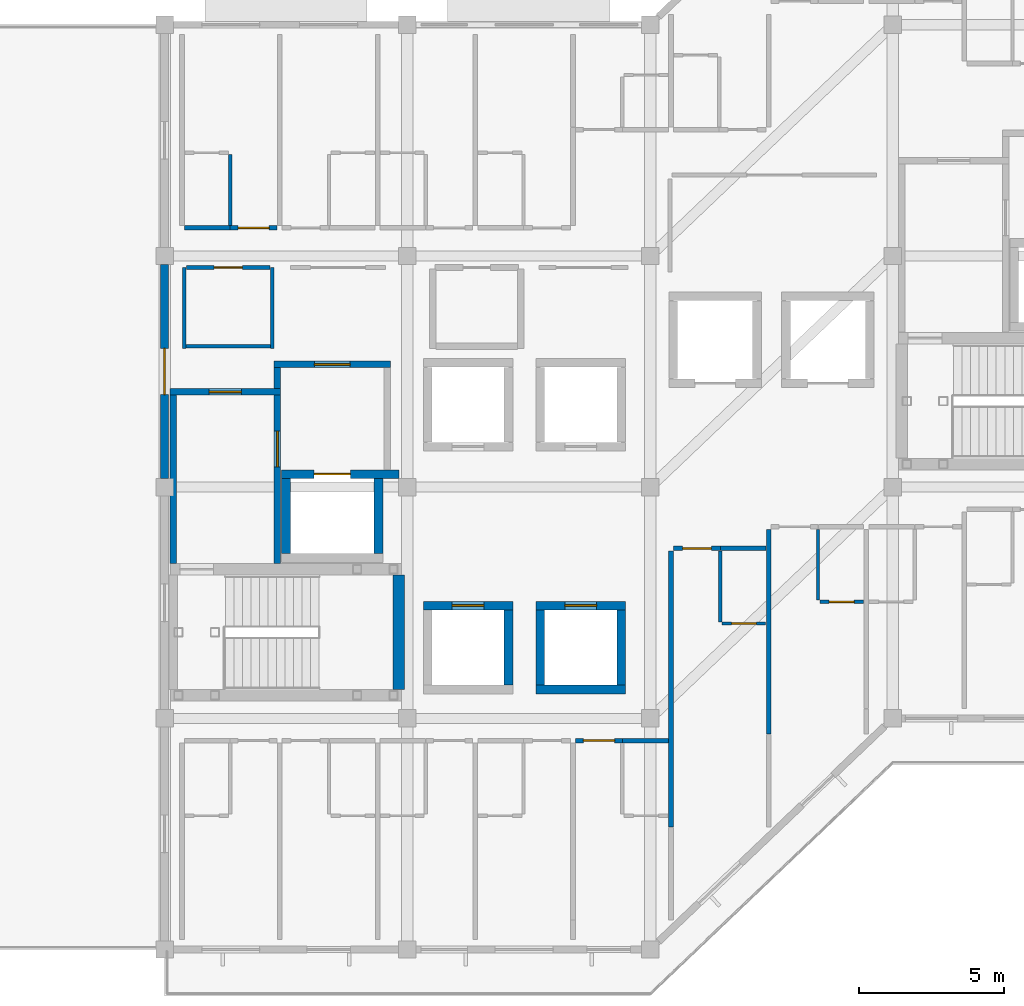
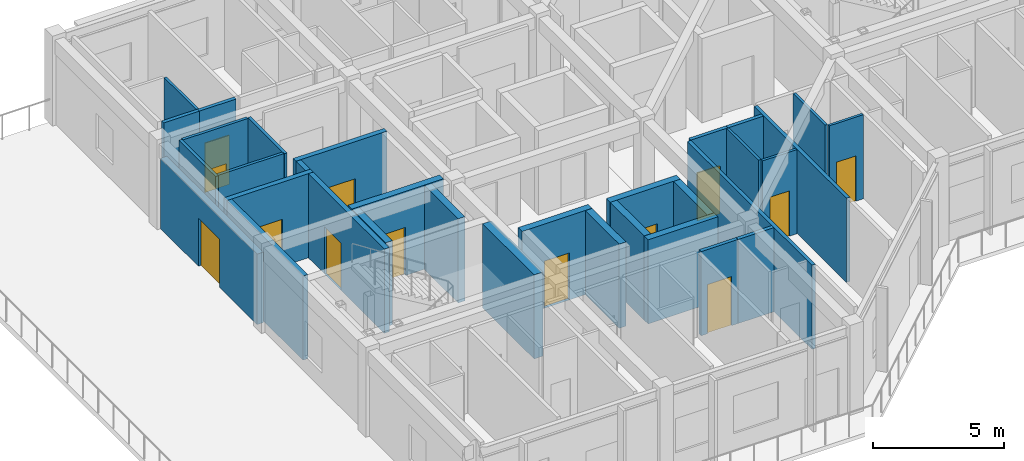
# One storey, part 5 of 13: 33 walls, 13 doors, 13 openings.
"""IFC4 building model written with IfcOpenShell, lengths in metres."""

import ifcopenshell
import ifcopenshell.guid

model = None  # the IFC model being written
_history = None  # IfcOwnerHistory: only IFC2X3 demands one
_inside = {}  # id of a spatial element -> (the spatial element, [elements in it])
_under = {}  # id of a project, library or spatial element -> (it, [spatial elements below it])
_declared = {}  # id of a project -> (the project, [libraries it declares])
_typed = {}  # id of a type object -> (the type object, [elements of that type])
_made_of = {}  # id of a material, layer set ... -> (it, [elements and type objects made of it])


def new_model(schema):
    """Start an empty IFC model of exactly this schema.

    Asked for "IFC4X3", IfcOpenShell would pick the latest addendum, in which some entities
    have other attributes; the version numbers below select the first issue.
    IFC2X3 requires an IfcOwnerHistory on every rooted entity: one is made here for all.
    """
    global model, _history
    if schema == "IFC4X3":
        model = ifcopenshell.file(schema_version=(4, 3, 0, 0))
    else:
        model = ifcopenshell.file(schema=schema)
    _inside.clear()
    _under.clear()
    _declared.clear()
    _typed.clear()
    _made_of.clear()
    _history = None
    if model.schema == "IFC2X3":
        org = make("IfcOrganization", Name="unknown")
        user = make(
            "IfcPersonAndOrganization",
            ThePerson=make("IfcPerson", FamilyName="unknown"),
            TheOrganization=org,
        )
        app = make(
            "IfcApplication",
            ApplicationDeveloper=org,
            Version="unknown",
            ApplicationFullName="unknown",
            ApplicationIdentifier="unknown",
        )
        _history = make(
            "IfcOwnerHistory",
            OwningUser=user,
            OwningApplication=app,
            ChangeAction="ADDED",
            CreationDate=0,
        )
    return model


def make(cls, **values):
    """One entity of the class cls with the attributes given. An attribute that is None is left unset."""
    return model.create_entity(
        cls, **{name: value for name, value in values.items() if value is not None}
    )


def rooted(cls, **values):
    """An entity with a GlobalId (a new one), such as an element, a storey or a relation."""
    return make(cls, GlobalId=ifcopenshell.guid.new(), OwnerHistory=_history, **values)


def si_unit(unit_type, name, prefix=None):
    """IfcSIUnit, for example si_unit("LENGTHUNIT", "METRE", prefix="MILLI")."""
    return make("IfcSIUnit", UnitType=unit_type, Prefix=prefix, Name=name)


def assignment(units):
    """IfcUnitAssignment: the units of a project."""
    return None if units is None else make("IfcUnitAssignment", Units=units)


def point(xyz):
    """IfcCartesianPoint."""
    return None if xyz is None else make("IfcCartesianPoint", Coordinates=xyz)


def direction(xyz):
    """IfcDirection."""
    return None if xyz is None else make("IfcDirection", DirectionRatios=xyz)


def frame(location, z_axis=None, x_axis=None):
    """IfcAxis2Placement3D, a coordinate frame: its origin and axes. An axis left out is left unset."""
    return make(
        "IfcAxis2Placement3D",
        Location=point(location),
        Axis=direction(z_axis),
        RefDirection=direction(x_axis),
    )


def frame_2d(location, x_axis=None):
    """IfcAxis2Placement2D, a coordinate frame in the plane: its origin and x axis."""
    return make(
        "IfcAxis2Placement2D", Location=point(location), RefDirection=direction(x_axis)
    )


def origin():
    """The frame at (0, 0, 0) with its axes left unset."""
    return frame((0.0, 0.0, 0.0))


def place(relative_to, where):
    """IfcLocalPlacement: puts the frame where relative to a parent placement (None: the world)."""
    return make(
        "IfcLocalPlacement", PlacementRelTo=relative_to, RelativePlacement=where
    )


def context(
    kind, dimensions, precision=None, world=None, true_north=None, identifier=None
):
    """IfcGeometricRepresentationContext, for example the 3D "Model" context."""
    return make(
        "IfcGeometricRepresentationContext",
        ContextIdentifier=identifier,
        ContextType=kind,
        CoordinateSpaceDimension=dimensions,
        Precision=precision,
        WorldCoordinateSystem=world,
        TrueNorth=true_north,
    )


def subcontext(parent, identifier, kind, view, scale=None):
    """IfcGeometricRepresentationSubContext, for example "Body" below "Model"."""
    return make(
        "IfcGeometricRepresentationSubContext",
        ContextIdentifier=identifier,
        ContextType=kind,
        ParentContext=parent,
        TargetScale=scale,
        TargetView=view,
    )


def project(units=None, contexts=None):
    """IfcProject with its units and contexts."""
    return rooted(
        "IfcProject",
        Name="project",
        RepresentationContexts=contexts,
        UnitsInContext=assignment(units),
    )


def spatial(cls, under=None, at=None, **own):
    """A site, building, storey or space (cls), placed at a placement, below another one or the project."""
    s = rooted(cls, ObjectPlacement=at, **own)
    if under is not None:
        _under.setdefault(under.id(), (under, []))[1].append(s)
    return s


def profile(cls, at=None, kind="AREA", **sizes):
    """A parametric profile (cls). Its sizes go by their IFC names, for example OverallWidth=200.0."""
    return make(cls, ProfileType=kind, Position=at, **sizes)


def rectangle(**sizes):
    """IfcRectangleProfileDef."""
    return profile("IfcRectangleProfileDef", **sizes)


def extrude(swept, where, along, depth):
    """IfcExtrudedAreaSolid: the profile swept, set in the frame where, extruded along a direction by depth."""
    return make(
        "IfcExtrudedAreaSolid",
        SweptArea=swept,
        Position=where,
        ExtrudedDirection=direction(along),
        Depth=depth,
    )


def shape(context_of_items, identifier, shape_type, items):
    """IfcShapeRepresentation: the items that make up one representation, for example the "Body"."""
    return make(
        "IfcShapeRepresentation",
        ContextOfItems=context_of_items,
        RepresentationIdentifier=identifier,
        RepresentationType=shape_type,
        Items=items,
    )


def material(Name=None, Category=None):
    """IfcMaterial."""
    return make("IfcMaterial", Name=Name, Category=Category)


def layer(
    of_material, thickness, ventilated=None, Name=None, Category=None, Priority=None
):
    """IfcMaterialLayer: one layer of a wall or slab, of a material (None: an air gap)."""
    return make(
        "IfcMaterialLayer",
        Material=of_material,
        LayerThickness=thickness,
        IsVentilated=ventilated,
        Name=Name,
        Category=Category,
        Priority=Priority,
    )


def layer_set(layers, Name=None):
    """IfcMaterialLayerSet."""
    return make("IfcMaterialLayerSet", MaterialLayers=layers, LayerSetName=Name)


def made_of(thing, what):
    """Note that an element or type object is made of a material, layer set ...; save() writes the relation."""
    if what is not None:
        _made_of.setdefault(what.id(), (what, []))[1].append(thing)
    return thing


def type_object(cls, material=None, **own):
    """A type object (cls), such as IfcWallType, which elements share."""
    return made_of(rooted(cls, **own), material)


def element(
    cls,
    number,
    at=None,
    inside=None,
    cuts=None,
    type_object=None,
    material=None,
    context=None,
    identifier="Body",
    shape_type=None,
    held_by="IfcProductDefinitionShape",
    body=None,
    shapes=None,
    **own,
):
    """One element of the class cls, such as IfcWall. Its Tag is "e" and its number.

    at: its placement. inside: the storey or other place that contains it. cuts: it is an
    opening in that element (IfcRelVoidsElement). A single representation is given by context,
    identifier, shape_type and body (its items); several are given by shapes. held_by: the class
    of the entity that holds the representations. save() writes the other relations.
    """
    e = rooted(cls, Tag="e%d" % number, ObjectPlacement=at, **own)
    if body is not None:
        shapes = [shape(context, identifier, shape_type, body)]
    if shapes is not None:
        e.Representation = make(held_by, Representations=shapes)
    if inside is not None:
        _inside.setdefault(inside.id(), (inside, []))[1].append(e)
    if cuts is not None:
        rooted(
            "IfcRelVoidsElement", RelatingBuildingElement=cuts, RelatedOpeningElement=e
        )
    if type_object is not None:
        _typed.setdefault(type_object.id(), (type_object, []))[1].append(e)
    return made_of(e, material)


def fill(opening, filler):
    """IfcRelFillsElement: the door or window that sits in an opening."""
    return rooted(
        "IfcRelFillsElement",
        RelatingOpeningElement=opening,
        RelatedBuildingElement=filler,
    )


def aggregate(whole, parts):
    """IfcRelAggregates: a whole, such as a stair, and the parts it consists of."""
    return rooted("IfcRelAggregates", RelatingObject=whole, RelatedObjects=parts)


def save(model, path):
    """Write the relations noted so far, then the file.

    IfcRelAggregates (storeys below a building ...), IfcRelContainedInSpatialStructure (elements
    in a storey), IfcRelDefinesByType, IfcRelAssociatesMaterial and IfcRelDeclares: one each for
    every whole, place, type object, material and project.
    """
    for whole, parts in _under.values():
        aggregate(whole, parts)
    for where, things in _inside.values():
        rooted(
            "IfcRelContainedInSpatialStructure",
            RelatedElements=things,
            RelatingStructure=where,
        )
    for kind, things in _typed.values():
        rooted("IfcRelDefinesByType", RelatedObjects=things, RelatingType=kind)
    for what, things in _made_of.values():
        rooted("IfcRelAssociatesMaterial", RelatedObjects=things, RelatingMaterial=what)
    for by, libraries in _declared.values():
        rooted("IfcRelDeclares", RelatingContext=by, RelatedDefinitions=libraries)
    model.write(path)


model = new_model("IFC4")

# Units and contexts
model_context = context("Model", 3, precision=1e-05, world=origin(), true_north=direction((0.0, 1.0)))
body_context = subcontext(model_context, "Body", "Model", "MODEL_VIEW")
ifc_project = project(units=[si_unit("LENGTHUNIT", "METRE"), si_unit("AREAUNIT", "SQUARE_METRE"), si_unit("VOLUMEUNIT", "CUBIC_METRE"), si_unit("PLANEANGLEUNIT", "RADIAN"), si_unit("MASSUNIT", "GRAM", prefix="KILO")], contexts=[model_context])

# Site, building, storey
site_placement = place(None, origin())
site = spatial("IfcSite", under=ifc_project, at=site_placement, CompositionType="ELEMENT")
building_placement = place(site_placement, origin())
building = spatial("IfcBuilding", under=site, at=building_placement, Name="Naruveol Harbour Congress Hotel", CompositionType="ELEMENT")
storey_placement = place(building_placement, frame((0.0, 0.0, 43.199951171875)))
storey = spatial("IfcBuildingStorey", under=building, at=storey_placement, Name="L10", CompositionType="ELEMENT", Elevation=43.199951171875)

# Wall, opening, door
ifc_material_1 = material(Name="Precast concrete C40/50", Category="concrete")
ifc_layer_1 = layer(ifc_material_1, 0.280029296875)
ifc_layer_set_1 = layer_set([ifc_layer_1], Name="Precast concrete C40/50")
wall_type_1 = type_object("IfcWallType", Name="ARCHITECTURAL PRECAST FACADE WALL 280", PredefinedType="SOLIDWALL", material=ifc_layer_set_1)
wall_1_placement = place(storey_placement, frame((126.0, 16.300048828125, 0.0), z_axis=(0.0, 0.0, 1.0), x_axis=(0.0, 1.0, 0.0)))
wall_1 = element("IfcWall", 1, at=wall_1_placement, inside=storey, type_object=wall_type_1, Name="Hotel west gable wall L10 EW-280", PredefinedType="SOLIDWALL", context=body_context, shape_type="SweptSolid", body=[
    extrude(rectangle(XDim=7.39990234375, YDim=0.280029296875, at=frame_2d((3.699951171875, 0.0))), origin(), (0.0, 0.0, 1.0), 3.300048828125),
])
opening_1_placement = place(wall_1_placement, frame((2.89990234375, 0.0, 0.0)))
opening_1 = element("IfcOpeningElement", 2, at=opening_1_placement, cuts=wall_1, Name="Opening ED-TW-L10", PredefinedType="OPENING", context=body_context, shape_type="SweptSolid", body=[
    extrude(rectangle(XDim=1.60009765625, YDim=2.25, at=frame_2d((0.800048828125, 1.125))), frame((0.0, 0.14990234375, 0.0), z_axis=(0.0, -1.0, 0.0), x_axis=(1.0, 0.0, 0.0)), (0.0, 0.0, 1.0), 0.300048828125),
])
ifc_material_2 = material(Name="Powder-Coated Steel & Insulated Glazing", Category="steel")
door_type_1 = type_object("IfcDoorType", Name="HARBOUR GARDEN TERRACE DOOR 1600X2250", OperationType="DOUBLE_DOOR_SINGLE_SWING", PredefinedType="DOOR", material=ifc_material_2)
door_1_placement = place(opening_1_placement, origin())
door_1 = element("IfcDoor", 3, at=door_1_placement, inside=storey, type_object=door_type_1, Name="L10 West Sky Terrace Door", OperationType="DOUBLE_DOOR_SINGLE_SWING", OverallHeight=2.25, OverallWidth=1.60009765625, PredefinedType="DOOR", context=body_context, shape_type="SweptSolid", body=[
    extrude(rectangle(XDim=1.60009765625, YDim=2.25, at=frame_2d((0.800048828125, 1.125))), frame((0.0, 0.02490234375, 0.0), z_axis=(0.0, -1.0, 0.0), x_axis=(1.0, 0.0, 0.0)), (0.0, 0.0, 1.0), 0.050048828125),
])
fill(opening_1, door_1)

# Walls
ifc_material_3 = material(Name="Moisture-Resistant Gypsum Partition", Category="gypsum")
ifc_layer_2 = layer(ifc_material_3, 0.114990234375)
ifc_layer_set_2 = layer_set([ifc_layer_2], Name="Moisture-Resistant Gypsum Partition")
wall_type_2 = type_object("IfcWallType", Name="BATHROOM MOISTURE PARTITION WALL 115", PredefinedType="PARTITIONING", material=ifc_layer_set_2)
for number, where, z_axis, x_axis, name in (
    (4, (128.27001953125, 25.06005859375, 0.0), (0.0, 0.0, 1.0), (0.0, 1.0, 0.0), "Bathroom east wall 1193 PW-115"),
    (5, (145.22998046875, 11.340087890625, 0.0), (0.0, 0.0, 1.0), (0.0, 1.0, 0.0), "Bathroom west wall 1186 PW-115"),
):
    element("IfcWall", number, at=place(storey_placement, frame(where, z_axis=z_axis, x_axis=x_axis)), inside=storey, type_object=wall_type_2, Name=name, PredefinedType="PARTITIONING", context=body_context, shape_type="SweptSolid", body=[
        extrude(rectangle(XDim=2.449951171875, YDim=0.114990234375, at=frame_2d((1.22509765625, 0.0))), origin(), (0.0, 0.0, 1.0), 3.93505859375),
    ])

# Wall, opening, door
wall_2_placement = place(storey_placement, frame((145.2900390625, 11.280029296875, 0.0), z_axis=(0.0, 0.0, 1.0), x_axis=(1.0, 0.0, 0.0)))
wall_2 = element("IfcWall", 6, at=wall_2_placement, inside=storey, type_object=wall_type_2, Name="Bathroom south wall 1186 PW-115", PredefinedType="PARTITIONING", context=body_context, shape_type="SweptSolid", body=[
    extrude(rectangle(XDim=1.510009765625, YDim=0.114990234375, at=frame_2d((0.7548828125, 0.0))), origin(), (0.0, 0.0, 1.0), 3.93505859375),
])
opening_2_placement = place(wall_2_placement, frame((0.324951171875, 0.0, 0.0)))
opening_2 = element("IfcOpeningElement", 7, at=opening_2_placement, cuts=wall_2, Name="Opening BD-RM1186", PredefinedType="OPENING", context=body_context, shape_type="SweptSolid", body=[
    extrude(rectangle(XDim=0.860107421875, YDim=2.1201171875, at=frame_2d((0.43017578125, 1.06005859375))), frame((0.0, 0.0673828125, 0.0), z_axis=(0.0, -1.0, 0.0), x_axis=(1.0, 0.0, 0.0)), (0.0, 0.0, 1.0), 0.135009765625),
])
ifc_material_4 = material(Name="Timber & Steel Acoustic Leaf", Category="steel")
door_type_2 = type_object("IfcDoorType", Name="GUEST BATHROOM DOOR 860X2120", OperationType="NOTDEFINED", PredefinedType="DOOR", material=ifc_material_4)
door_2_placement = place(opening_2_placement, origin())
door_2 = element("IfcDoor", 8, at=door_2_placement, inside=storey, type_object=door_type_2, Name="Bathroom Door 1186", OperationType="SINGLE_SWING_RIGHT", OverallHeight=2.1201171875, OverallWidth=0.860107421875, PredefinedType="DOOR", context=body_context, shape_type="SweptSolid", body=[
    extrude(rectangle(XDim=0.860107421875, YDim=2.1201171875, at=frame_2d((0.43017578125, 1.06005859375))), frame((0.0, 0.02490234375, 0.0), z_axis=(0.0, -1.0, 0.0), x_axis=(1.0, 0.0, 0.0)), (0.0, 0.0, 1.0), 0.050048828125),
])
fill(opening_2, door_2)

# Wall
wall_3_placement = place(storey_placement, frame((148.610107421875, 12.090087890625, 0.0), z_axis=(0.0, 0.0, 1.0), x_axis=(0.0, 1.0, 0.0)))
element("IfcWall", 9, at=wall_3_placement, inside=storey, type_object=wall_type_2, Name="Bathroom west wall 1187 PW-115", PredefinedType="PARTITIONING", context=body_context, shape_type="SweptSolid", body=[
    extrude(rectangle(XDim=2.449951171875, YDim=0.114990234375, at=frame_2d((1.22509765625, 0.0))), origin(), (0.0, 0.0, 1.0), 3.93505859375),
])

# Wall, opening, door
wall_4_placement = place(storey_placement, frame((148.669921875, 12.030029296875, 0.0), z_axis=(0.0, 0.0, 1.0), x_axis=(1.0, 0.0, 0.0)))
wall_4 = element("IfcWall", 10, at=wall_4_placement, inside=storey, type_object=wall_type_2, Name="Bathroom south wall 1187 PW-115", PredefinedType="PARTITIONING", context=body_context, shape_type="SweptSolid", body=[
    extrude(rectangle(XDim=1.510009765625, YDim=0.114990234375, at=frame_2d((0.7548828125, 0.0))), origin(), (0.0, 0.0, 1.0), 3.93505859375),
])
opening_3_placement = place(wall_4_placement, frame((0.324951171875, 0.0, 0.0)))
opening_3 = element("IfcOpeningElement", 11, at=opening_3_placement, cuts=wall_4, Name="Opening BD-RM1187", PredefinedType="OPENING", context=body_context, shape_type="SweptSolid", body=[
    extrude(rectangle(XDim=0.860107421875, YDim=2.1201171875, at=frame_2d((0.43017578125, 1.06005859375))), frame((0.0, 0.0673828125, 0.0), z_axis=(0.0, -1.0, 0.0), x_axis=(1.0, 0.0, 0.0)), (0.0, 0.0, 1.0), 0.135009765625),
])
door_3_placement = place(opening_3_placement, origin())
door_3 = element("IfcDoor", 12, at=door_3_placement, inside=storey, type_object=door_type_2, Name="Bathroom Door 1187", OperationType="SINGLE_SWING_RIGHT", OverallHeight=2.1201171875, OverallWidth=0.860107421875, PredefinedType="DOOR", context=body_context, shape_type="SweptSolid", body=[
    extrude(rectangle(XDim=0.860107421875, YDim=2.1201171875, at=frame_2d((0.43017578125, 1.06005859375))), frame((0.0, 0.02490234375, 0.0), z_axis=(0.0, -1.0, 0.0), x_axis=(1.0, 0.0, 0.0)), (0.0, 0.0, 1.0), 0.050048828125),
])
fill(opening_3, door_3)

# Wall
ifc_material_5 = material(Name="Concrete C40/50", Category="concrete")
ifc_layer_3 = layer(ifc_material_5, 0.219970703125)
ifc_layer_set_3 = layer_set([ifc_layer_3], Name="Concrete C40/50")
wall_type_3 = type_object("IfcWallType", Name="FIRE COMPARTMENT AND LOBBY WALL 220 EI120", PredefinedType="PARTITIONING", material=ifc_layer_set_3)
wall_5_placement = place(storey_placement, frame((126.300048828125, 13.364990234375, 0.0), z_axis=(0.0, 0.0, 1.0), x_axis=(0.0, 1.0, 0.0)))
element("IfcWall", 13, at=wall_5_placement, inside=storey, type_object=wall_type_3, Name="Smoke vestibule ST1 west wall FW-220", PredefinedType="PARTITIONING", context=body_context, shape_type="SweptSolid", body=[
    extrude(rectangle(XDim=5.820068359375, YDim=0.219970703125, at=frame_2d((2.91015625, 0.0))), origin(), (0.0, 0.0, 1.0), 3.93505859375),
])

# Wall, opening, door
wall_6_placement = place(storey_placement, frame((126.18994140625, 19.300048828125, 0.0), z_axis=(0.0, 0.0, 1.0), x_axis=(1.0, 0.0, 0.0)))
wall_6 = element("IfcWall", 14, at=wall_6_placement, inside=storey, type_object=wall_type_3, Name="Smoke vestibule ST1 north wall FW-220", PredefinedType="PARTITIONING", context=body_context, shape_type="SweptSolid", body=[
    extrude(rectangle(XDim=3.820068359375, YDim=0.219970703125, at=frame_2d((1.91015625, 0.0))), origin(), (0.0, 0.0, 1.0), 3.93505859375),
])
opening_4_placement = place(wall_6_placement, frame((1.35009765625, 0.0, 0.0)))
opening_4 = element("IfcOpeningElement", 15, at=opening_4_placement, cuts=wall_6, Name="Opening FD-ST1-V-L10", PredefinedType="OPENING", context=body_context, shape_type="SweptSolid", body=[
    extrude(rectangle(XDim=1.1201171875, YDim=2.199951171875, at=frame_2d((0.56005859375, 1.10009765625))), frame((0.0, 0.119873046875, 0.0), z_axis=(0.0, -1.0, 0.0), x_axis=(1.0, 0.0, 0.0)), (0.0, 0.0, 1.0), 0.239990234375),
])
ifc_material_6 = material(Name="Timber & Steel Acoustic Leaf", Category="steel")
door_type_3 = type_object("IfcDoorType", Name="VESTIBULE SMOKE CONTROL FIRE DOOR 1120X2200", OperationType="NOTDEFINED", PredefinedType="DOOR", material=ifc_material_6)
door_4_placement = place(opening_4_placement, origin())
door_4 = element("IfcDoor", 16, at=door_4_placement, inside=storey, type_object=door_type_3, Name="Smoke Vestibule Entry Door ST1 L10", OperationType="SINGLE_SWING_LEFT", OverallHeight=2.199951171875, OverallWidth=1.1201171875, PredefinedType="DOOR", context=body_context, shape_type="SweptSolid", body=[
    extrude(rectangle(XDim=1.1201171875, YDim=2.199951171875, at=frame_2d((0.56005859375, 1.10009765625))), frame((0.0, 0.02490234375, 0.0), z_axis=(0.0, -1.0, 0.0), x_axis=(1.0, 0.0, 0.0)), (0.0, 0.0, 1.0), 0.050048828125),
])
fill(opening_4, door_4)

wall_7_placement = place(storey_placement, frame((129.89990234375, 13.364990234375, 0.0), z_axis=(0.0, 0.0, 1.0), x_axis=(0.0, 1.0, 0.0)))
wall_7 = element("IfcWall", 17, at=wall_7_placement, inside=storey, type_object=wall_type_3, Name="Smoke vestibule ST1 east wall FW-220", PredefinedType="PARTITIONING", context=body_context, shape_type="SweptSolid", body=[
    extrude(rectangle(XDim=5.820068359375, YDim=0.219970703125, at=frame_2d((2.91015625, 0.0))), origin(), (0.0, 0.0, 1.0), 3.93505859375),
])
opening_5_placement = place(wall_7_placement, frame((3.3349609375, 0.0, 0.0)))
opening_5 = element("IfcOpeningElement", 18, at=opening_5_placement, cuts=wall_7, Name="Opening FD-FFL-ST1-L10", PredefinedType="OPENING", context=body_context, shape_type="SweptSolid", body=[
    extrude(rectangle(XDim=1.239990234375, YDim=2.199951171875, at=frame_2d((0.6201171875, 1.10009765625))), frame((0.0, 0.119873046875, 0.0), z_axis=(0.0, -1.0, 0.0), x_axis=(1.0, 0.0, 0.0)), (0.0, 0.0, 1.0), 0.239990234375),
])
ifc_material_7 = material(Name="Timber & Steel Acoustic Leaf", Category="steel")
door_type_4 = type_object("IfcDoorType", Name="FIREFIGHTING LOBBY FIRE DOOR 1240X2200", OperationType="NOTDEFINED", PredefinedType="DOOR", material=ifc_material_7)
door_5_placement = place(opening_5_placement, origin())
door_5 = element("IfcDoor", 19, at=door_5_placement, inside=storey, type_object=door_type_4, Name="Firefighting Lobby Vestibule Door ST1 L10", OperationType="SINGLE_SWING_RIGHT", OverallHeight=2.199951171875, OverallWidth=1.239990234375, PredefinedType="DOOR", context=body_context, shape_type="SweptSolid", body=[
    extrude(rectangle(XDim=1.239990234375, YDim=2.199951171875, at=frame_2d((0.6201171875, 1.10009765625))), frame((0.0, 0.02490234375, 0.0), z_axis=(0.0, -1.0, 0.0), x_axis=(1.0, 0.0, 0.0)), (0.0, 0.0, 1.0), 0.050048828125),
])
fill(opening_5, door_5)

# Wall
wall_8_placement = place(storey_placement, frame((129.89990234375, 19.4150390625, 0.0), z_axis=(0.0, 0.0, 1.0), x_axis=(0.0, 1.0, 0.0)))
element("IfcWall", 20, at=wall_8_placement, inside=storey, type_object=wall_type_3, Name="Firefighting lift lobby ST1 upper west wall FW-220", PredefinedType="PARTITIONING", context=body_context, shape_type="SweptSolid", body=[
    extrude(rectangle(XDim=0.719970703125, YDim=0.219970703125, at=frame_2d((0.35986328125, 0.0))), origin(), (0.0, 0.0, 1.0), 3.93505859375),
])

# Wall, opening, door
wall_9_placement = place(storey_placement, frame((129.7900390625, 20.25, 0.0), z_axis=(0.0, 0.0, 1.0), x_axis=(1.0, 0.0, 0.0)))
wall_9 = element("IfcWall", 21, at=wall_9_placement, inside=storey, type_object=wall_type_3, Name="Firefighting lift lobby ST1 north wall FW-220", PredefinedType="PARTITIONING", context=body_context, shape_type="SweptSolid", body=[
    extrude(rectangle(XDim=4.02001953125, YDim=0.219970703125, at=frame_2d((2.010009765625, 0.0))), origin(), (0.0, 0.0, 1.0), 3.93505859375),
])
opening_6_placement = place(wall_9_placement, frame((1.389892578125, 0.0, 0.0)))
opening_6 = element("IfcOpeningElement", 22, at=opening_6_placement, cuts=wall_9, Name="Opening FD-FFC-ST1-L10", PredefinedType="OPENING", context=body_context, shape_type="SweptSolid", body=[
    extrude(rectangle(XDim=1.239990234375, YDim=2.199951171875, at=frame_2d((0.6201171875, 1.10009765625))), frame((0.0, 0.119873046875, 0.0), z_axis=(0.0, -1.0, 0.0), x_axis=(1.0, 0.0, 0.0)), (0.0, 0.0, 1.0), 0.239990234375),
])
door_6_placement = place(opening_6_placement, origin())
door_6 = element("IfcDoor", 23, at=door_6_placement, inside=storey, type_object=door_type_4, Name="Firefighting Lobby Corridor Door ST1 L10", OperationType="SINGLE_SWING_LEFT", OverallHeight=2.199951171875, OverallWidth=1.239990234375, PredefinedType="DOOR", context=body_context, shape_type="SweptSolid", body=[
    extrude(rectangle(XDim=1.239990234375, YDim=2.199951171875, at=frame_2d((0.6201171875, 1.10009765625))), frame((0.0, 0.02490234375, 0.0), z_axis=(0.0, -1.0, 0.0), x_axis=(1.0, 0.0, 0.0)), (0.0, 0.0, 1.0), 0.050048828125),
])
fill(opening_6, door_6)

# Wall
ifc_material_8 = material(Name="Autoclaved Aerated Concrete Block", Category="concrete")
ifc_layer_4 = layer(ifc_material_8, 0.159912109375)
ifc_layer_set_4 = layer_set([ifc_layer_4], Name="Autoclaved Aerated Concrete Block")
wall_type_4 = type_object("IfcWallType", Name="HOTEL PARTY AND CORRIDOR WALL 160 EI60", PredefinedType="PARTITIONING", material=ifc_layer_set_4)
wall_10_placement = place(storey_placement, frame((126.68994140625, 24.969970703125, 0.0), z_axis=(0.0, 0.0, 1.0), x_axis=(1.0, 0.0, 0.0)))
element("IfcWall", 24, at=wall_10_placement, inside=storey, type_object=wall_type_4, Name="Corridor wall 1193B PW-160", PredefinedType="PARTITIONING", context=body_context, shape_type="SweptSolid", body=[
    extrude(rectangle(XDim=1.570068359375, YDim=0.159912109375, at=frame_2d((0.78515625, 0.0))), origin(), (0.0, 0.0, 1.0), 3.93505859375),
])

# Wall, opening, door
wall_11_placement = place(storey_placement, frame((128.27001953125, 24.969970703125, 0.0), z_axis=(0.0, 0.0, 1.0), x_axis=(1.0, 0.0, 0.0)))
wall_11 = element("IfcWall", 25, at=wall_11_placement, inside=storey, type_object=wall_type_4, Name="Corridor entry wall 1193 PW-160", PredefinedType="PARTITIONING", context=body_context, shape_type="SweptSolid", body=[
    extrude(rectangle(XDim=1.619873046875, YDim=0.159912109375, at=frame_2d((0.81005859375, 0.0))), origin(), (0.0, 0.0, 1.0), 3.93505859375),
])
opening_7_placement = place(wall_11_placement, frame((0.27001953125, 0.0, 0.0)))
opening_7 = element("IfcOpeningElement", 26, at=opening_7_placement, cuts=wall_11, Name="Opening FD-RM1193", PredefinedType="OPENING", context=body_context, shape_type="SweptSolid", body=[
    extrude(rectangle(XDim=1.080078125, YDim=2.300048828125, at=frame_2d((0.5400390625, 1.14990234375))), frame((0.0, 0.08984375, 0.0), z_axis=(0.0, -1.0, 0.0), x_axis=(1.0, 0.0, 0.0)), (0.0, 0.0, 1.0), 0.179931640625),
])
ifc_material_9 = material(Name="Timber & Steel Acoustic Leaf", Category="steel")
door_type_5 = type_object("IfcDoorType", Name="SUITE ENTRANCE FIRE DOOR 1080X2300", OperationType="NOTDEFINED", PredefinedType="DOOR", material=ifc_material_9)
door_7_placement = place(opening_7_placement, origin())
door_7 = element("IfcDoor", 27, at=door_7_placement, inside=storey, type_object=door_type_5, Name="Hotel Room Door 1193", OperationType="SINGLE_SWING_LEFT", OverallHeight=2.300048828125, OverallWidth=1.080078125, PredefinedType="DOOR", context=body_context, shape_type="SweptSolid", body=[
    extrude(rectangle(XDim=1.080078125, YDim=2.300048828125, at=frame_2d((0.5400390625, 1.14990234375))), frame((0.0, 0.02490234375, 0.0), z_axis=(0.0, -1.0, 0.0), x_axis=(1.0, 0.0, 0.0)), (0.0, 0.0, 1.0), 0.050048828125),
])
fill(opening_7, door_7)

wall_12_placement = place(storey_placement, frame((140.219970703125, 7.22998046875, 0.0), z_axis=(0.0, 0.0, 1.0), x_axis=(1.0, 0.0, 0.0)))
wall_12 = element("IfcWall", 28, at=wall_12_placement, inside=storey, type_object=wall_type_4, Name="Corridor entry wall 1185 PW-160", PredefinedType="PARTITIONING", context=body_context, shape_type="SweptSolid", body=[
    extrude(rectangle(XDim=1.6201171875, YDim=0.159912109375, at=frame_2d((0.81005859375, 0.0))), origin(), (0.0, 0.0, 1.0), 3.93505859375),
])
opening_8_placement = place(wall_12_placement, frame((0.27001953125, 0.0, 0.0)))
opening_8 = element("IfcOpeningElement", 29, at=opening_8_placement, cuts=wall_12, Name="Opening FD-RM1185", PredefinedType="OPENING", context=body_context, shape_type="SweptSolid", body=[
    extrude(rectangle(XDim=1.080078125, YDim=2.300048828125, at=frame_2d((0.5400390625, 1.14990234375))), frame((0.0, 0.08984375, 0.0), z_axis=(0.0, -1.0, 0.0), x_axis=(1.0, 0.0, 0.0)), (0.0, 0.0, 1.0), 0.179931640625),
])
door_8_placement = place(opening_8_placement, origin())
door_8 = element("IfcDoor", 30, at=door_8_placement, inside=storey, type_object=door_type_5, Name="Hotel Room Door 1185", OperationType="SINGLE_SWING_LEFT", OverallHeight=2.300048828125, OverallWidth=1.080078125, PredefinedType="DOOR", context=body_context, shape_type="SweptSolid", body=[
    extrude(rectangle(XDim=1.080078125, YDim=2.300048828125, at=frame_2d((0.5400390625, 1.14990234375))), frame((0.0, 0.02490234375, 0.0), z_axis=(0.0, -1.0, 0.0), x_axis=(1.0, 0.0, 0.0)), (0.0, 0.0, 1.0), 0.050048828125),
])
fill(opening_8, door_8)

# Wall
wall_13_placement = place(storey_placement, frame((141.85009765625, 7.22998046875, 0.0), z_axis=(0.0, 0.0, 1.0), x_axis=(1.0, 0.0, 0.0)))
element("IfcWall", 31, at=wall_13_placement, inside=storey, type_object=wall_type_4, Name="Corridor wall 1185B PW-160", PredefinedType="PARTITIONING", context=body_context, shape_type="SweptSolid", body=[
    extrude(rectangle(XDim=1.579833984375, YDim=0.159912109375, at=frame_2d((0.7900390625, 0.0))), origin(), (0.0, 0.0, 1.0), 3.93505859375),
])

# Wall, opening, door
wall_14_placement = place(storey_placement, frame((143.610107421875, 13.8798828125, 0.0), z_axis=(0.0, 0.0, 1.0), x_axis=(1.0, 0.0, 0.0)))
wall_14 = element("IfcWall", 32, at=wall_14_placement, inside=storey, type_object=wall_type_4, Name="Corridor entry wall 1186 PW-160", PredefinedType="PARTITIONING", context=body_context, shape_type="SweptSolid", body=[
    extrude(rectangle(XDim=1.619873046875, YDim=0.159912109375, at=frame_2d((0.81005859375, 0.0))), origin(), (0.0, 0.0, 1.0), 3.93505859375),
])
opening_9_placement = place(wall_14_placement, frame((0.31005859375, 0.0, 0.0)))
opening_9 = element("IfcOpeningElement", 33, at=opening_9_placement, cuts=wall_14, Name="Opening FD-RM1186", PredefinedType="OPENING", context=body_context, shape_type="SweptSolid", body=[
    extrude(rectangle(XDim=1.0, YDim=2.25, at=frame_2d((0.5, 1.125))), frame((0.0, 0.08984375, 0.0), z_axis=(0.0, -1.0, 0.0), x_axis=(1.0, 0.0, 0.0)), (0.0, 0.0, 1.0), 0.179931640625),
])
ifc_material_10 = material(Name="Timber & Steel Acoustic Leaf", Category="steel")
door_type_6 = type_object("IfcDoorType", Name="DELUXE GUEST ENTRANCE FIRE DOOR 1000X2250", OperationType="NOTDEFINED", PredefinedType="DOOR", material=ifc_material_10)
door_9_placement = place(opening_9_placement, origin())
door_9 = element("IfcDoor", 34, at=door_9_placement, inside=storey, type_object=door_type_6, Name="Hotel Room Door 1186", OperationType="SINGLE_SWING_LEFT", OverallHeight=2.25, OverallWidth=1.0, PredefinedType="DOOR", context=body_context, shape_type="SweptSolid", body=[
    extrude(rectangle(XDim=1.0, YDim=2.25, at=frame_2d((0.5, 1.125))), frame((0.0, 0.02490234375, 0.0), z_axis=(0.0, -1.0, 0.0), x_axis=(1.0, 0.0, 0.0)), (0.0, 0.0, 1.0), 0.050048828125),
])
fill(opening_9, door_9)

# Walls
wall_15_placement = place(storey_placement, frame((145.239990234375, 13.8798828125, 0.0), z_axis=(0.0, 0.0, 1.0), x_axis=(1.0, 0.0, 0.0)))
element("IfcWall", 35, at=wall_15_placement, inside=storey, type_object=wall_type_4, Name="Corridor wall 1186B PW-160", PredefinedType="PARTITIONING", context=body_context, shape_type="SweptSolid", body=[
    extrude(rectangle(XDim=1.570068359375, YDim=0.159912109375, at=frame_2d((0.78515625, 0.0))), origin(), (0.0, 0.0, 1.0), 3.93505859375),
])
wall_16_placement = place(storey_placement, frame((143.52001953125, 4.239990234375, 0.0), z_axis=(0.0, 0.0, 1.0), x_axis=(0.0, 1.0, 0.0)))
element("IfcWall", 36, at=wall_16_placement, inside=storey, type_object=wall_type_4, Name="Hotel party wall 1186 PW-160", PredefinedType="PARTITIONING", context=body_context, shape_type="SweptSolid", body=[
    extrude(rectangle(XDim=9.550048828125, YDim=0.159912109375, at=frame_2d((4.77490234375, 0.0))), origin(), (0.0, 0.0, 1.0), 3.93505859375),
])
wall_17_placement = place(storey_placement, frame((146.89990234375, 7.4599609375, 0.0), z_axis=(0.0, 0.0, 1.0), x_axis=(0.0, 1.0, 0.0)))
element("IfcWall", 37, at=wall_17_placement, inside=storey, type_object=wall_type_4, Name="Hotel party wall 1187 PW-160", PredefinedType="PARTITIONING", context=body_context, shape_type="SweptSolid", body=[
    extrude(rectangle(XDim=7.080078125, YDim=0.159912109375, at=frame_2d((3.5400390625, 0.0))), origin(), (0.0, 0.0, 1.0), 3.93505859375),
])
ifc_material_11 = material(Name="Concrete C50/60", Category="concrete")
ifc_layer_5 = layer(ifc_material_11, 0.39990234375)
ifc_layer_set_5 = layer_set([ifc_layer_5], Name="Concrete C50/60")
wall_type_5 = type_object("IfcWallType", Name="RC CORE SHEAR WALL 400 EI120", PredefinedType="SHEAR", material=ifc_layer_set_5)
wall_18_placement = place(storey_placement, frame((134.10009765625, 9.0048828125, 0.0), z_axis=(0.0, 0.0, 1.0), x_axis=(0.0, 1.0, 0.0)))
element("IfcWall", 38, at=wall_18_placement, inside=storey, type_object=wall_type_5, Name="Stair ST1 east core wall CW-400", PredefinedType="SHEAR", context=body_context, shape_type="SweptSolid", body=[
    extrude(rectangle(XDim=3.9501953125, YDim=0.39990234375, at=frame_2d((1.97509765625, 0.0))), origin(), (0.0, 0.0, 1.0), 3.93505859375),
])
ifc_material_12 = material(Name="Concrete C50/60", Category="concrete")
ifc_layer_6 = layer(ifc_material_12, 0.300048828125)
ifc_layer_set_6 = layer_set([ifc_layer_6], Name="Concrete C50/60")
wall_type_6 = type_object("IfcWallType", Name="RC STAIR AND HOISTWAY SHEAR WALL 300 EI120", PredefinedType="SHEAR", material=ifc_layer_set_6)
wall_19_placement = place(storey_placement, frame((137.89990234375, 9.155029296875, 0.0), z_axis=(0.0, 0.0, 1.0), x_axis=(0.0, 1.0, 0.0)))
element("IfcWall", 39, at=wall_19_placement, inside=storey, type_object=wall_type_6, Name="Hoistway east shear wall PL3 SW-300", PredefinedType="SHEAR", context=body_context, shape_type="SweptSolid", body=[
    extrude(rectangle(XDim=2.590087890625, YDim=0.300048828125, at=frame_2d((1.294921875, 0.0))), origin(), (0.0, 0.0, 1.0), 3.93505859375),
])

# Wall, opening, door
wall_20_placement = place(storey_placement, frame((138.050048828125, 11.89990234375, 0.0), z_axis=(0.0, 0.0, 1.0), x_axis=(-1.0, 0.0, 0.0)))
wall_20 = element("IfcWall", 40, at=wall_20_placement, inside=storey, type_object=wall_type_6, Name="Hoistway north shear wall PL3 SW-300", PredefinedType="SHEAR", context=body_context, shape_type="SweptSolid", body=[
    extrude(rectangle(XDim=3.10009765625, YDim=0.300048828125, at=frame_2d((1.550048828125, 0.0))), origin(), (0.0, 0.0, 1.0), 3.93505859375),
])
opening_10_placement = place(wall_20_placement, frame((1.0, 0.0, 0.0)))
opening_10 = element("IfcOpeningElement", 41, at=opening_10_placement, cuts=wall_20, Name="Opening LD-PL3-L10", PredefinedType="OPENING", context=body_context, shape_type="SweptSolid", body=[
    extrude(rectangle(XDim=1.10009765625, YDim=2.199951171875, at=frame_2d((0.550048828125, 1.10009765625))), frame((0.0, 0.159912109375, 0.0), z_axis=(0.0, -1.0, 0.0), x_axis=(1.0, 0.0, 0.0)), (0.0, 0.0, 1.0), 0.320068359375),
])
ifc_material_13 = material(Name="Stainless Steel Lift Door", Category="steel")
door_type_7 = type_object("IfcDoorType", Name="PASSENGER LIFT LANDING DOOR 1100X2200", OperationType="DOUBLE_DOOR_SLIDING", PredefinedType="DOOR", material=ifc_material_13)
door_10_placement = place(opening_10_placement, origin())
door_10 = element("IfcDoor", 42, at=door_10_placement, inside=storey, type_object=door_type_7, Name="Elevator Landing Door PL3 L10", OperationType="DOUBLE_DOOR_SLIDING", OverallHeight=2.199951171875, OverallWidth=1.10009765625, PredefinedType="DOOR", context=body_context, shape_type="SweptSolid", body=[
    extrude(rectangle(XDim=1.10009765625, YDim=2.199951171875, at=frame_2d((0.550048828125, 1.10009765625))), frame((0.0, 0.02490234375, 0.0), z_axis=(0.0, -1.0, 0.0), x_axis=(1.0, 0.0, 0.0)), (0.0, 0.0, 1.0), 0.050048828125),
])
fill(opening_10, door_10)

# Walls
wall_21_placement = place(storey_placement, frame((138.85009765625, 9.0, 0.0), z_axis=(0.0, 0.0, 1.0), x_axis=(1.0, 0.0, 0.0)))
element("IfcWall", 43, at=wall_21_placement, inside=storey, type_object=wall_type_6, Name="Hoistway south shear wall PL4 SW-300", PredefinedType="SHEAR", context=body_context, shape_type="SweptSolid", body=[
    extrude(rectangle(XDim=3.099853515625, YDim=0.300048828125, at=frame_2d((1.5498046875, 0.0))), origin(), (0.0, 0.0, 1.0), 3.93505859375),
])
wall_22_placement = place(storey_placement, frame((141.800048828125, 9.155029296875, 0.0), z_axis=(0.0, 0.0, 1.0), x_axis=(0.0, 1.0, 0.0)))
element("IfcWall", 44, at=wall_22_placement, inside=storey, type_object=wall_type_6, Name="Hoistway east shear wall PL4 SW-300", PredefinedType="SHEAR", context=body_context, shape_type="SweptSolid", body=[
    extrude(rectangle(XDim=2.590087890625, YDim=0.300048828125, at=frame_2d((1.294921875, 0.0))), origin(), (0.0, 0.0, 1.0), 3.93505859375),
])

# Wall, opening, door
wall_23_placement = place(storey_placement, frame((141.949951171875, 11.89990234375, 0.0), z_axis=(0.0, 0.0, 1.0), x_axis=(-1.0, 0.0, 0.0)))
wall_23 = element("IfcWall", 45, at=wall_23_placement, inside=storey, type_object=wall_type_6, Name="Hoistway north shear wall PL4 SW-300", PredefinedType="SHEAR", context=body_context, shape_type="SweptSolid", body=[
    extrude(rectangle(XDim=3.099853515625, YDim=0.300048828125, at=frame_2d((1.5498046875, 0.0))), origin(), (0.0, 0.0, 1.0), 3.93505859375),
])
opening_11_placement = place(wall_23_placement, frame((1.0, 0.0, 0.0)))
opening_11 = element("IfcOpeningElement", 46, at=opening_11_placement, cuts=wall_23, Name="Opening LD-PL4-L10", PredefinedType="OPENING", context=body_context, shape_type="SweptSolid", body=[
    extrude(rectangle(XDim=1.10009765625, YDim=2.199951171875, at=frame_2d((0.550048828125, 1.10009765625))), frame((0.0, 0.159912109375, 0.0), z_axis=(0.0, -1.0, 0.0), x_axis=(1.0, 0.0, 0.0)), (0.0, 0.0, 1.0), 0.320068359375),
])
door_11_placement = place(opening_11_placement, origin())
door_11 = element("IfcDoor", 47, at=door_11_placement, inside=storey, type_object=door_type_7, Name="Elevator Landing Door PL4 L10", OperationType="DOUBLE_DOOR_SLIDING", OverallHeight=2.199951171875, OverallWidth=1.10009765625, PredefinedType="DOOR", context=body_context, shape_type="SweptSolid", body=[
    extrude(rectangle(XDim=1.10009765625, YDim=2.199951171875, at=frame_2d((0.550048828125, 1.10009765625))), frame((0.0, 0.02490234375, 0.0), z_axis=(0.0, -1.0, 0.0), x_axis=(1.0, 0.0, 0.0)), (0.0, 0.0, 1.0), 0.050048828125),
])
fill(opening_11, door_11)

# Walls
wall_24_placement = place(storey_placement, frame((139.0, 11.7451171875, 0.0), z_axis=(0.0, 0.0, 1.0), x_axis=(0.0, -1.0, 0.0)))
element("IfcWall", 48, at=wall_24_placement, inside=storey, type_object=wall_type_6, Name="Hoistway west shear wall PL4 SW-300", PredefinedType="SHEAR", context=body_context, shape_type="SweptSolid", body=[
    extrude(rectangle(XDim=2.590087890625, YDim=0.300048828125, at=frame_2d((1.294921875, 0.0))), origin(), (0.0, 0.0, 1.0), 3.93505859375),
])
wall_25_placement = place(storey_placement, frame((133.39990234375, 13.705078125, 0.0), z_axis=(0.0, 0.0, 1.0), x_axis=(0.0, 1.0, 0.0)))
element("IfcWall", 49, at=wall_25_placement, inside=storey, type_object=wall_type_6, Name="Hoistway east shear wall FL1 SW-300", PredefinedType="SHEAR", context=body_context, shape_type="SweptSolid", body=[
    extrude(rectangle(XDim=2.58984375, YDim=0.300048828125, at=frame_2d((1.294921875, 0.0))), origin(), (0.0, 0.0, 1.0), 3.93505859375),
])

# Wall, opening, door
wall_26_placement = place(storey_placement, frame((134.110107421875, 16.449951171875, 0.0), z_axis=(0.0, 0.0, 1.0), x_axis=(-1.0, 0.0, 0.0)))
wall_26 = element("IfcWall", 50, at=wall_26_placement, inside=storey, type_object=wall_type_6, Name="Hoistway north shear wall FL1 SW-300", PredefinedType="SHEAR", context=body_context, shape_type="SweptSolid", body=[
    extrude(rectangle(XDim=4.06005859375, YDim=0.300048828125, at=frame_2d((2.030029296875, 0.0))), origin(), (0.0, 0.0, 1.0), 3.93505859375),
])
opening_12_placement = place(wall_26_placement, frame((1.68505859375, 0.0, 0.0)))
opening_12 = element("IfcOpeningElement", 51, at=opening_12_placement, cuts=wall_26, Name="Opening LD-FL1-L10", PredefinedType="OPENING", context=body_context, shape_type="SweptSolid", body=[
    extrude(rectangle(XDim=1.25, YDim=2.25, at=frame_2d((0.625, 1.125))), frame((0.0, 0.159912109375, 0.0), z_axis=(0.0, -1.0, 0.0), x_axis=(1.0, 0.0, 0.0)), (0.0, 0.0, 1.0), 0.320068359375),
])
ifc_material_14 = material(Name="Stainless Steel Lift Door", Category="steel")
door_type_8 = type_object("IfcDoorType", Name="FIREFIGHTING LIFT LANDING DOOR 1250X2250", OperationType="DOUBLE_DOOR_SLIDING", PredefinedType="DOOR", material=ifc_material_14)
door_12_placement = place(opening_12_placement, origin())
door_12 = element("IfcDoor", 52, at=door_12_placement, inside=storey, type_object=door_type_8, Name="Elevator Landing Door FL1 L10", OperationType="DOUBLE_DOOR_SLIDING", OverallHeight=2.25, OverallWidth=1.25, PredefinedType="DOOR", context=body_context, shape_type="SweptSolid", body=[
    extrude(rectangle(XDim=1.25, YDim=2.25, at=frame_2d((0.625, 1.125))), frame((0.0, 0.02490234375, 0.0), z_axis=(0.0, -1.0, 0.0), x_axis=(1.0, 0.0, 0.0)), (0.0, 0.0, 1.0), 0.050048828125),
])
fill(opening_12, door_12)

# Wall
wall_27_placement = place(storey_placement, frame((130.199951171875, 16.294921875, 0.0), z_axis=(0.0, 0.0, 1.0), x_axis=(0.0, -1.0, 0.0)))
element("IfcWall", 53, at=wall_27_placement, inside=storey, type_object=wall_type_6, Name="Hoistway west shear wall FL1 SW-300", PredefinedType="SHEAR", context=body_context, shape_type="SweptSolid", body=[
    extrude(rectangle(XDim=2.58984375, YDim=0.300048828125, at=frame_2d((1.294921875, 0.0))), origin(), (0.0, 0.0, 1.0), 3.93505859375),
])

# Wall, opening, door
ifc_material_15 = material(Name="Acoustic Double Stud Gypsum", Category="gypsum")
ifc_layer_7 = layer(ifc_material_15, 0.125)
ifc_layer_set_7 = layer_set([ifc_layer_7], Name="Acoustic Double Stud Gypsum")
wall_type_7 = type_object("IfcWallType", Name="SERVICE CHASE PARTITION WALL 125", PredefinedType="PARTITIONING", material=ifc_layer_set_7)
wall_28_placement = place(storey_placement, frame((126.760009765625, 23.60009765625, 0.0), z_axis=(0.0, 0.0, 1.0), x_axis=(1.0, 0.0, 0.0)))
wall_28 = element("IfcWall", 54, at=wall_28_placement, inside=storey, type_object=wall_type_7, Name="Accessible Restroom north entry wall PW-125", PredefinedType="PARTITIONING", context=body_context, shape_type="SweptSolid", body=[
    extrude(rectangle(XDim=2.8798828125, YDim=0.125, at=frame_2d((1.43994140625, 0.0))), origin(), (0.0, 0.0, 1.0), 3.93505859375),
])
opening_13_placement = place(wall_28_placement, frame((0.949951171875, 0.0, 0.0)))
opening_13 = element("IfcOpeningElement", 55, at=opening_13_placement, cuts=wall_28, Name="Opening BD-ACC-L10-138", PredefinedType="OPENING", context=body_context, shape_type="SweptSolid", body=[
    extrude(rectangle(XDim=0.97998046875, YDim=2.14990234375, at=frame_2d((0.489990234375, 1.074951171875))), frame((0.0, 0.072509765625, 0.0), z_axis=(0.0, -1.0, 0.0), x_axis=(1.0, 0.0, 0.0)), (0.0, 0.0, 1.0), 0.14501953125),
])
ifc_material_16 = material(Name="Timber & Steel Acoustic Leaf", Category="steel")
door_type_9 = type_object("IfcDoorType", Name="ACCESSIBLE RESTROOM DOOR 980X2150", OperationType="NOTDEFINED", PredefinedType="DOOR", material=ifc_material_16)
door_13_placement = place(opening_13_placement, origin())
door_13 = element("IfcDoor", 56, at=door_13_placement, inside=storey, type_object=door_type_9, Name="Accessible Restroom Door L10", OperationType="SINGLE_SWING_LEFT", OverallHeight=2.14990234375, OverallWidth=0.97998046875, PredefinedType="DOOR", context=body_context, shape_type="SweptSolid", body=[
    extrude(rectangle(XDim=0.97998046875, YDim=2.14990234375, at=frame_2d((0.489990234375, 1.074951171875))), frame((0.0, 0.02490234375, 0.0), z_axis=(0.0, -1.0, 0.0), x_axis=(1.0, 0.0, 0.0)), (0.0, 0.0, 1.0), 0.050048828125),
])
fill(opening_13, door_13)

# Walls
for number, where, z_axis, x_axis, name in (
    (57, (126.679931640625, 20.800048828125, 0.0), (0.0, 0.0, 1.0), (0.0, 1.0, 0.0), "Accessible Restroom west enclosure partition PW-125"),
    (58, (129.719970703125, 20.800048828125, 0.0), (0.0, 0.0, 1.0), (0.0, 1.0, 0.0), "Accessible Restroom east enclosure partition PW-125"),
):
    element("IfcWall", number, at=place(storey_placement, frame(where, z_axis=z_axis, x_axis=x_axis)), inside=storey, type_object=wall_type_7, Name=name, PredefinedType="PARTITIONING", context=body_context, shape_type="SweptSolid", body=[
        extrude(rectangle(XDim=2.7958984375, YDim=0.125, at=frame_2d((1.39794921875, 0.0))), origin(), (0.0, 0.0, 1.0), 3.93505859375),
    ])
wall_29_placement = place(storey_placement, frame((126.741943359375, 20.8798828125, 0.0), z_axis=(0.0, 0.0, 1.0), x_axis=(1.0, 0.0, 0.0)))
element("IfcWall", 59, at=wall_29_placement, inside=storey, type_object=wall_type_7, Name="Accessible Restroom south enclosure partition PW-125", PredefinedType="PARTITIONING", context=body_context, shape_type="SweptSolid", body=[
    extrude(rectangle(XDim=2.9150390625, YDim=0.125, at=frame_2d((1.45751953125, 0.0))), origin(), (0.0, 0.0, 1.0), 3.93505859375),
])

save(model, "model.ifc")
